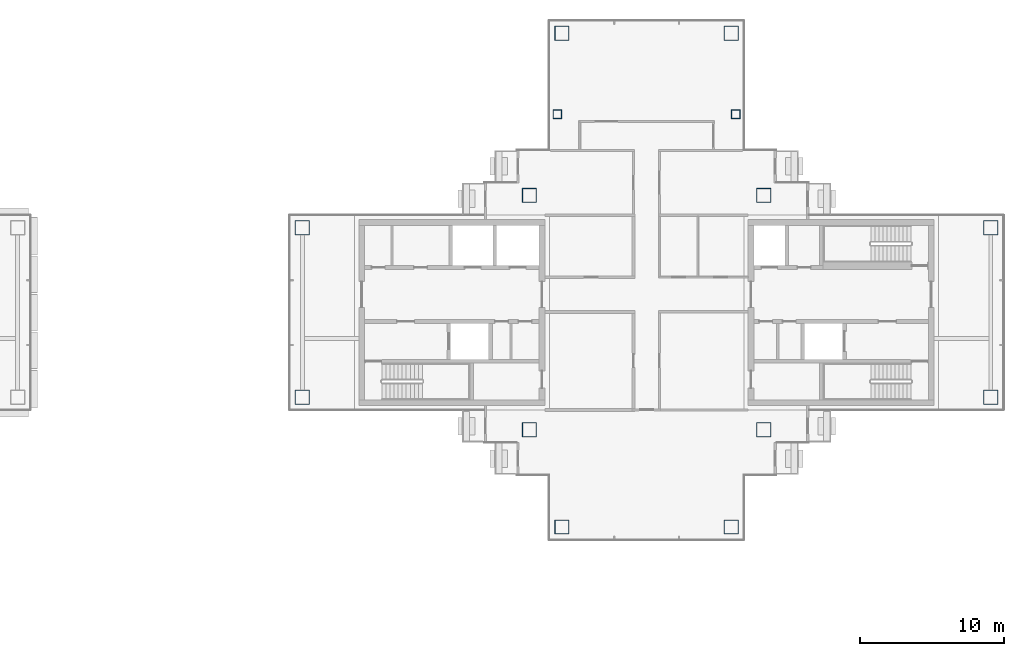
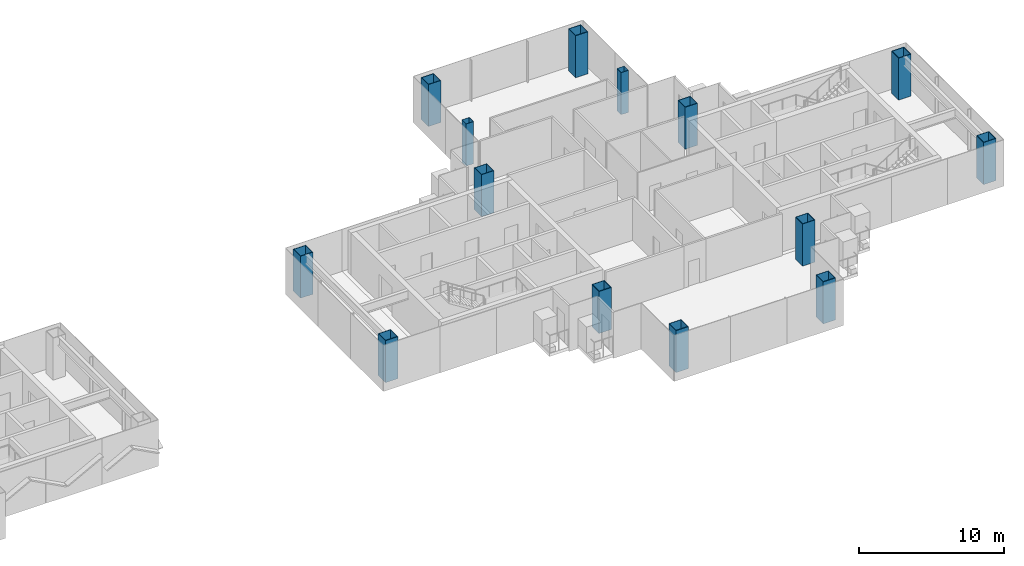
# One storey, part 2 of 17: 14 columns.
"""IFC4 building model written with IfcOpenShell, lengths in metres."""

from ifc_helpers import new_model, si_unit, direction, frame, origin, origin_2d, place, context, subcontext, project, spatial, hollow_rectangle, extrude, material, material_profile, profile_set, type_object, element, save


model = new_model("IFC4")

# Units and contexts
model_context = context("Model", 3, precision=1e-05, world=origin(), true_north=direction((0.0, 1.0)))
body_context = subcontext(model_context, "Body", "Model", "MODEL_VIEW")
ifc_project = project(units=[si_unit("LENGTHUNIT", "METRE"), si_unit("AREAUNIT", "SQUARE_METRE"), si_unit("VOLUMEUNIT", "CUBIC_METRE"), si_unit("PLANEANGLEUNIT", "RADIAN"), si_unit("MASSUNIT", "GRAM", prefix="KILO")], contexts=[model_context])

# Site, building, storey
site_placement = place(None, origin())
site = spatial("IfcSite", under=ifc_project, at=site_placement, CompositionType="ELEMENT")
building_placement = place(site_placement, origin())
building = spatial("IfcBuilding", under=site, at=building_placement, Name="Shamsa Quay Exchange Towers", CompositionType="ELEMENT")
storey_placement = place(building_placement, frame((0.0, 0.0, 194.39990234375)))
storey = spatial("IfcBuildingStorey", under=building, at=storey_placement, Name="L46", CompositionType="ELEMENT", Elevation=194.39990234375)

# Columns
ifc_material_1 = material(Name="Concrete-filled steel tube S355 / C80/95", Category="concrete")
ifc_material_profile_1 = material_profile(ifc_material_1, hollow_rectangle(XDim=1.0, YDim=1.0, WallThickness=0.0400390625, at=origin_2d()), Name="CFT 1000x1000x40")
ifc_profile_set_1 = profile_set([ifc_material_profile_1], Name="Concrete-filled steel tube S355 / C80/95")
column_type_1 = type_object("IfcColumnType", Name="Column CFT 1000x1000x40", PredefinedType="COLUMN", material=ifc_profile_set_1)
for number, where, name in (
    (1, (25.625, 8.125, 0.0), "Mega column T2-CM01"),
    (2, (41.875, 8.125, 0.0), "Mega column T2-CM02"),
    (3, (25.625, -8.125, 0.0), "Mega column T2-CM03"),
    (4, (41.875, -8.125, 0.0), "Mega column T2-CM04"),
    (5, (39.625, 19.375, 0.0), "Mega column T2-CM06"),
    (6, (27.875, 19.375, 0.0), "Mega column T2-CM10"),
    (7, (39.625, -14.875, 0.0), "Mega column T2-CM13"),
    (8, (27.875, -14.875, 0.0), "Mega column T2-CM16"),
    (9, (9.875, -5.875, 0.0), "Mega column T2-CM19"),
    (10, (9.875, 5.875, 0.0), "Mega column T2-CM20"),
    (11, (57.625, -5.875, 0.0), "Mega column T2-CM21"),
    (12, (57.625, 5.875, 0.0), "Mega column T2-CM23"),
):
    element("IfcColumn", number, at=place(storey_placement, frame(where)), inside=storey, type_object=column_type_1, Name=name, PredefinedType="COLUMN", context=body_context, shape_type="SweptSolid", body=[
        extrude(hollow_rectangle(XDim=1.0, YDim=1.0, WallThickness=0.0400390625, at=origin_2d()), origin(), (0.0, 0.0, 1.0), 3.550048828125),
    ])
ifc_material_2 = material(Name="Concrete-filled steel tube S355 / C60/75", Category="concrete")
ifc_material_profile_2 = material_profile(ifc_material_2, hollow_rectangle(XDim=0.60009765625, YDim=0.60009765625, WallThickness=0.02001953125, at=origin_2d()), Name="CFT 600x600x20")
ifc_profile_set_2 = profile_set([ifc_material_profile_2], Name="Concrete-filled steel tube S355 / C60/75")
column_type_2 = type_object("IfcColumnType", Name="Column CFT 600x600x20", PredefinedType="COLUMN", material=ifc_profile_set_2)
for number, where, name in (
    (13, (39.9375, 13.75, 0.0), "Perimeter column T2-CP05"),
    (14, (27.5625, 13.75, 0.0), "Perimeter column T2-CP09"),
):
    element("IfcColumn", number, at=place(storey_placement, frame(where)), inside=storey, type_object=column_type_2, Name=name, PredefinedType="COLUMN", context=body_context, shape_type="SweptSolid", body=[
        extrude(hollow_rectangle(XDim=0.60009765625, YDim=0.60009765625, WallThickness=0.02001953125, at=origin_2d()), origin(), (0.0, 0.0, 1.0), 3.550048828125),
    ])

save(model, "model.ifc")
